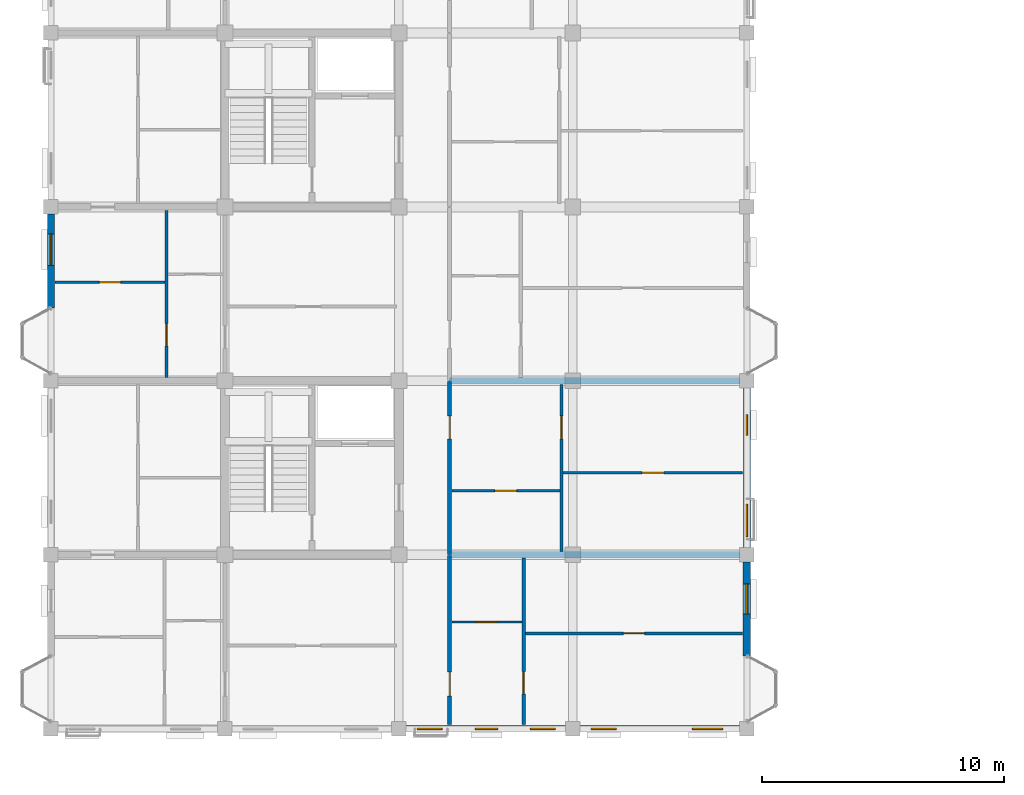
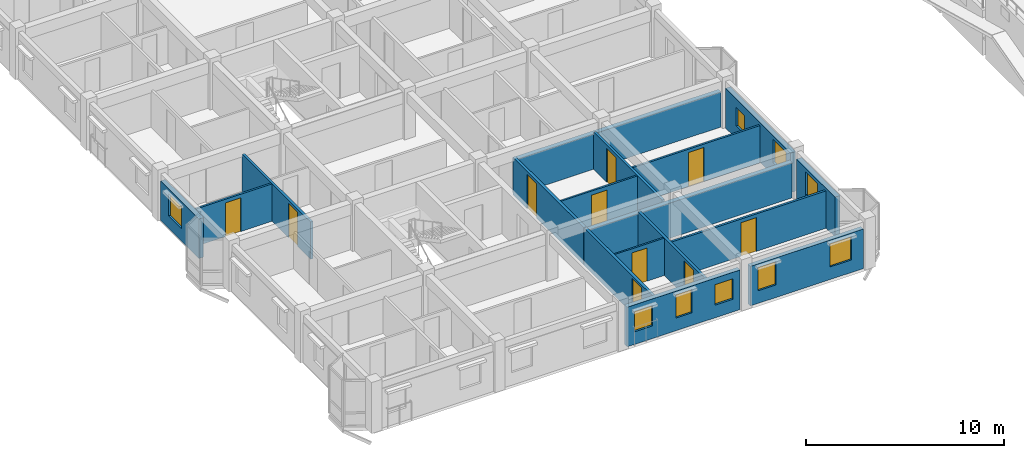
# One storey, part 90 of 124: 17 walls, 10 doors, 9 windows, 19 openings.
"""IFC4 building model written with IfcOpenShell, lengths in metres."""

from ifc_helpers import new_model, si_unit, direction, frame, frame_2d, origin, place, context, subcontext, project, spatial, rectangle, extrude, material, layer, layer_set, type_object, element, fill, save


model = new_model("IFC4")

# Units and contexts
model_context = context("Model", 3, precision=1e-05, world=origin(), true_north=direction((0.0, 1.0)))
body_context = subcontext(model_context, "Body", "Model", "MODEL_VIEW")
ifc_project = project(units=[si_unit("LENGTHUNIT", "METRE"), si_unit("AREAUNIT", "SQUARE_METRE"), si_unit("VOLUMEUNIT", "CUBIC_METRE"), si_unit("PLANEANGLEUNIT", "RADIAN"), si_unit("MASSUNIT", "GRAM", prefix="KILO"), si_unit("THERMODYNAMICTEMPERATUREUNIT", "KELVIN"), si_unit("POWERUNIT", "WATT")], contexts=[model_context])

# Site, building, storey
site_placement = place(None, origin())
site = spatial("IfcSite", under=ifc_project, at=site_placement, CompositionType="ELEMENT")
building_placement = place(site_placement, origin())
building = spatial("IfcBuilding", under=site, at=building_placement, Name="Tavuni Mirador Residences", CompositionType="ELEMENT")
storey_placement = place(building_placement, frame((0.0, 0.0, 7.64990234375)))
storey = spatial("IfcBuildingStorey", under=building, at=storey_placement, Name="L02", CompositionType="ELEMENT", Elevation=7.64990234375)

# Wall, opening, door
ifc_material_1 = material(Name="Precast concrete C40/50", Category="concrete")
ifc_layer_1 = layer(ifc_material_1, 0.1650390625, Name="Precast concrete C40/50", Category="concrete")
ifc_layer_set_1 = layer_set([ifc_layer_1], Name="Precast concrete C40/50")
wall_type_1 = type_object("IfcWallType", Name="WT-CORR165", PredefinedType="PARTITIONING", material=ifc_layer_set_1)
wall_1_placement = place(storey_placement, frame((20.10009765625, 7.375, 0.0), z_axis=(0.0, 0.0, 1.0), x_axis=(0.0, 1.0, 0.0)))
wall_1 = element("IfcWall", 1, at=wall_1_placement, inside=storey, type_object=wall_type_1, Name="CORW-BLK-A-L02-0-00", PredefinedType="PARTITIONING", context=body_context, shape_type="SweptSolid", body=[
    extrude(rectangle(XDim=7.0048828125, YDim=0.1650390625, at=frame_2d((3.50244140625, 0.0))), origin(), (0.0, 0.0, 1.0), 2.30517578125),
])
opening_1_placement = place(wall_1_placement, frame((1.175048828125, 0.0, 0.0)))
opening_1 = element("IfcOpeningElement", 2, at=opening_1_placement, cuts=wall_1, Name="Opening D-03", PredefinedType="OPENING", context=body_context, shape_type="SweptSolid", body=[
    extrude(rectangle(XDim=1.0, YDim=2.14990234375, at=frame_2d((0.5, 1.074951171875))), frame((0.0, 0.092529296875, 0.0), z_axis=(0.0, -1.0, 0.0), x_axis=(1.0, 0.0, 0.0)), (0.0, 0.0, 1.0), 0.18505859375),
])
ifc_material_2 = material(Name="Solid core iroko timber", Category="wood")
door_type_1 = type_object("IfcDoorType", Name="DT-FD60-1000", OperationType="NOTDEFINED", PredefinedType="DOOR", material=ifc_material_2)
door_1_placement = place(opening_1_placement, origin())
door_1 = element("IfcDoor", 3, at=door_1_placement, inside=storey, type_object=door_type_1, Name="DR-2403", OperationType="SINGLE_SWING_RIGHT", OverallHeight=2.14990234375, OverallWidth=1.0, PredefinedType="DOOR", context=body_context, shape_type="SweptSolid", body=[
    extrude(rectangle(XDim=1.0, YDim=2.14990234375, at=frame_2d((0.5, 1.074951171875))), frame((0.0, 0.02490234375, 0.0), z_axis=(0.0, -1.0, 0.0), x_axis=(1.0, 0.0, 0.0)), (0.0, 0.0, 1.0), 0.050048828125),
])
fill(opening_1, door_1)

wall_2_placement = place(storey_placement, frame((20.10009765625, 14.419921875, 0.0), z_axis=(0.0, 0.0, 1.0), x_axis=(0.0, 1.0, 0.0)))
wall_2 = element("IfcWall", 4, at=wall_2_placement, inside=storey, type_object=wall_type_1, Name="CORW-BLK-A-L02-0-01", PredefinedType="PARTITIONING", context=body_context, shape_type="SweptSolid", body=[
    extrude(rectangle(XDim=7.16015625, YDim=0.1650390625, at=frame_2d((3.580078125, 0.0))), origin(), (0.0, 0.0, 1.0), 2.30517578125),
])
opening_2_placement = place(wall_2_placement, frame((4.780029296875, 0.0, 0.0)))
opening_2 = element("IfcOpeningElement", 5, at=opening_2_placement, cuts=wall_2, Name="Opening D-19", PredefinedType="OPENING", context=body_context, shape_type="SweptSolid", body=[
    extrude(rectangle(XDim=0.93994140625, YDim=2.1201171875, at=frame_2d((0.469970703125, 1.06005859375))), frame((0.0, 0.092529296875, 0.0), z_axis=(0.0, -1.0, 0.0), x_axis=(1.0, 0.0, 0.0)), (0.0, 0.0, 1.0), 0.18505859375),
])
door_type_2 = type_object("IfcDoorType", Name="DT-FD60-940", OperationType="NOTDEFINED", PredefinedType="DOOR", material=ifc_material_2)
door_2_placement = place(opening_2_placement, origin())
door_2 = element("IfcDoor", 6, at=door_2_placement, inside=storey, type_object=door_type_2, Name="DR-2404", OperationType="SINGLE_SWING_LEFT", OverallHeight=2.1201171875, OverallWidth=0.93994140625, PredefinedType="DOOR", context=body_context, shape_type="SweptSolid", body=[
    extrude(rectangle(XDim=0.93994140625, YDim=2.1201171875, at=frame_2d((0.469970703125, 1.06005859375))), frame((0.0, 0.02490234375, 0.0), z_axis=(0.0, -1.0, 0.0), x_axis=(1.0, 0.0, 0.0)), (0.0, 0.0, 1.0), 0.050048828125),
])
fill(opening_2, door_2)

# Wall, openings, windows
ifc_material_3 = material(Name="Sgraffito lime-rendered precast concrete C40/50", Category="concrete")
ifc_layer_2 = layer(ifc_material_3, 0.2548828125, Name="Sgraffito lime-rendered precast concrete C40/50", Category="concrete")
ifc_layer_set_2 = layer_set([ifc_layer_2], Name="Sgraffito lime-rendered precast concrete C40/50")
wall_type_2 = type_object("IfcWallType", Name="WT-EXT-PC255", PredefinedType="SOLIDWALL", material=ifc_layer_set_2)
wall_3_placement = place(storey_placement, frame((25.5, 7.199951171875, 0.0), z_axis=(0.0, 0.0, 1.0), x_axis=(1.0, 0.0, 0.0)))
wall_3 = element("IfcWall", 7, at=wall_3_placement, inside=storey, type_object=wall_type_2, Name="EW-BLK-A-L02-S03", PredefinedType="SOLIDWALL", context=body_context, shape_type="SweptSolid", body=[
    extrude(rectangle(XDim=6.60009765625, YDim=0.2548828125, at=frame_2d((3.300048828125, 0.0))), origin(), (0.0, 0.0, 1.0), 2.440185546875),
])
opening_3_placement = place(wall_3_placement, frame((0.449951171875, 0.0, 0.780029296875)))
opening_3 = element("IfcOpeningElement", 8, at=opening_3_placement, cuts=wall_3, Name="Opening WN-26", PredefinedType="OPENING", context=body_context, shape_type="SweptSolid", body=[
    extrude(rectangle(XDim=1.050048828125, YDim=1.43994140625, at=frame_2d((0.52490234375, 0.719970703125))), frame((0.0, 0.137451171875, 0.0), z_axis=(0.0, -1.0, 0.0), x_axis=(1.0, 0.0, 0.0)), (0.0, 0.0, 1.0), 0.27490234375),
])
opening_4_placement = place(wall_3_placement, frame((4.64990234375, 0.0, 0.780029296875)))
opening_4 = element("IfcOpeningElement", 9, at=opening_4_placement, cuts=wall_3, Name="Opening WN-28", PredefinedType="OPENING", context=body_context, shape_type="SweptSolid", body=[
    extrude(rectangle(XDim=1.25, YDim=1.43994140625, at=frame_2d((0.625, 0.719970703125))), frame((0.0, 0.137451171875, 0.0), z_axis=(0.0, -1.0, 0.0), x_axis=(1.0, 0.0, 0.0)), (0.0, 0.0, 1.0), 0.27490234375),
])
ifc_material_4 = material(Name="Laminated solar-control glass", Category="glass")
window_type_1 = type_object("IfcWindowType", Name="WNT-26", PartitioningType="SINGLE_PANEL", PredefinedType="WINDOW", material=ifc_material_4)
window_1_placement = place(opening_3_placement, origin())
window_1 = element("IfcWindow", 10, at=window_1_placement, inside=storey, type_object=window_type_1, Name="WIN-0083", OverallHeight=1.43994140625, OverallWidth=1.050048828125, PartitioningType="SINGLE_PANEL", PredefinedType="WINDOW", context=body_context, shape_type="SweptSolid", body=[
    extrude(rectangle(XDim=1.050048828125, YDim=1.43994140625, at=frame_2d((0.52490234375, 0.719970703125))), frame((0.0, 0.030029296875, 0.0), z_axis=(0.0, -1.0, 0.0), x_axis=(1.0, 0.0, 0.0)), (0.0, 0.0, 1.0), 0.06005859375),
])
fill(opening_3, window_1)
window_type_2 = type_object("IfcWindowType", Name="WNT-28", PartitioningType="SINGLE_PANEL", PredefinedType="WINDOW", material=ifc_material_4)
window_2_placement = place(opening_4_placement, origin())
window_2 = element("IfcWindow", 11, at=window_2_placement, inside=storey, type_object=window_type_2, Name="WIN-0084", OverallHeight=1.43994140625, OverallWidth=1.25, PartitioningType="SINGLE_PANEL", PredefinedType="WINDOW", context=body_context, shape_type="SweptSolid", body=[
    extrude(rectangle(XDim=1.25, YDim=1.43994140625, at=frame_2d((0.625, 0.719970703125))), frame((0.0, 0.030029296875, 0.0), z_axis=(0.0, -1.0, 0.0), x_axis=(1.0, 0.0, 0.0)), (0.0, 0.0, 1.0), 0.06005859375),
])
fill(opening_4, window_2)

ifc_layer_3 = layer(ifc_material_3, 0.27490234375, Name="Sgraffito lime-rendered precast concrete C40/50", Category="concrete")
ifc_layer_set_3 = layer_set([ifc_layer_3], Name="Sgraffito lime-rendered precast concrete C40/50")
wall_type_3 = type_object("IfcWallType", Name="WT-EXT-PC275", PredefinedType="SOLIDWALL", material=ifc_layer_set_3)
wall_4_placement = place(storey_placement, frame((18.300048828125, 7.199951171875, 0.0), z_axis=(0.0, 0.0, 1.0), x_axis=(1.0, 0.0, 0.0)))
wall_4 = element("IfcWall", 12, at=wall_4_placement, inside=storey, type_object=wall_type_3, Name="EW-BLK-A-L02-S02", PredefinedType="SOLIDWALL", context=body_context, shape_type="SweptSolid", body=[
    extrude(rectangle(XDim=6.599853515625, YDim=0.27490234375, at=frame_2d((3.2998046875, 0.0))), origin(), (0.0, 0.0, 1.0), 2.440185546875),
])
opening_5_placement = place(wall_4_placement, frame((0.449951171875, 0.0, 0.780029296875)))
opening_5 = element("IfcOpeningElement", 13, at=opening_5_placement, cuts=wall_4, Name="Opening WN-11", PredefinedType="OPENING", context=body_context, shape_type="SweptSolid", body=[
    extrude(rectangle(XDim=1.0400390625, YDim=1.260009765625, at=frame_2d((0.52001953125, 0.6298828125))), frame((0.0, 0.1474609375, 0.0), z_axis=(0.0, -1.0, 0.0), x_axis=(1.0, 0.0, 0.0)), (0.0, 0.0, 1.0), 0.294921875),
])
opening_6_placement = place(wall_4_placement, frame((2.860107421875, 0.0, 0.780029296875)))
opening_6 = element("IfcOpeningElement", 14, at=opening_6_placement, cuts=wall_4, Name="Opening WN-25", PredefinedType="OPENING", context=body_context, shape_type="SweptSolid", body=[
    extrude(rectangle(XDim=0.93994140625, YDim=1.43994140625, at=frame_2d((0.469970703125, 0.719970703125))), frame((0.0, 0.1474609375, 0.0), z_axis=(0.0, -1.0, 0.0), x_axis=(1.0, 0.0, 0.0)), (0.0, 0.0, 1.0), 0.294921875),
])
opening_7_placement = place(wall_4_placement, frame((5.139892578125, 0.0, 0.780029296875)))
opening_7 = element("IfcOpeningElement", 15, at=opening_7_placement, cuts=wall_4, Name="Opening WN-11", PredefinedType="OPENING", context=body_context, shape_type="SweptSolid", body=[
    extrude(rectangle(XDim=1.0400390625, YDim=1.260009765625, at=frame_2d((0.52001953125, 0.6298828125))), frame((0.0, 0.1474609375, 0.0), z_axis=(0.0, -1.0, 0.0), x_axis=(1.0, 0.0, 0.0)), (0.0, 0.0, 1.0), 0.294921875),
])
window_type_3 = type_object("IfcWindowType", Name="WNT-11", PartitioningType="SINGLE_PANEL", PredefinedType="WINDOW", material=ifc_material_4)
window_3_placement = place(opening_5_placement, origin())
window_3 = element("IfcWindow", 16, at=window_3_placement, inside=storey, type_object=window_type_3, Name="WIN-0080", OverallHeight=1.260009765625, OverallWidth=1.0400390625, PartitioningType="SINGLE_PANEL", PredefinedType="WINDOW", context=body_context, shape_type="SweptSolid", body=[
    extrude(rectangle(XDim=1.0400390625, YDim=1.260009765625, at=frame_2d((0.52001953125, 0.6298828125))), frame((0.0, 0.030029296875, 0.0), z_axis=(0.0, -1.0, 0.0), x_axis=(1.0, 0.0, 0.0)), (0.0, 0.0, 1.0), 0.06005859375),
])
fill(opening_5, window_3)
window_4_placement = place(opening_7_placement, origin())
window_4 = element("IfcWindow", 17, at=window_4_placement, inside=storey, type_object=window_type_3, Name="WIN-0082", OverallHeight=1.260009765625, OverallWidth=1.0400390625, PartitioningType="SINGLE_PANEL", PredefinedType="WINDOW", context=body_context, shape_type="SweptSolid", body=[
    extrude(rectangle(XDim=1.0400390625, YDim=1.260009765625, at=frame_2d((0.52001953125, 0.6298828125))), frame((0.0, 0.030029296875, 0.0), z_axis=(0.0, -1.0, 0.0), x_axis=(1.0, 0.0, 0.0)), (0.0, 0.0, 1.0), 0.06005859375),
])
fill(opening_7, window_4)
window_type_4 = type_object("IfcWindowType", Name="WNT-25", PartitioningType="SINGLE_PANEL", PredefinedType="WINDOW", material=ifc_material_4)
window_5_placement = place(opening_6_placement, origin())
window_5 = element("IfcWindow", 18, at=window_5_placement, inside=storey, type_object=window_type_4, Name="WIN-0081", OverallHeight=1.43994140625, OverallWidth=0.93994140625, PartitioningType="SINGLE_PANEL", PredefinedType="WINDOW", context=body_context, shape_type="SweptSolid", body=[
    extrude(rectangle(XDim=0.93994140625, YDim=1.43994140625, at=frame_2d((0.469970703125, 0.719970703125))), frame((0.0, 0.030029296875, 0.0), z_axis=(0.0, -1.0, 0.0), x_axis=(1.0, 0.0, 0.0)), (0.0, 0.0, 1.0), 0.06005859375),
])
fill(opening_6, window_5)

# Wall, opening, window
wall_5_placement = place(storey_placement, frame((3.60009765625, 28.5, 0.0), z_axis=(0.0, 0.0, 1.0), x_axis=(0.0, -1.0, 0.0)))
wall_5 = element("IfcWall", 19, at=wall_5_placement, inside=storey, type_object=wall_type_3, Name="EW-BLK-A-L02-W02", PredefinedType="SOLIDWALL", context=body_context, shape_type="SweptSolid", body=[
    extrude(rectangle(XDim=3.8798828125, YDim=0.27490234375, at=frame_2d((1.93994140625, 0.0))), origin(), (0.0, 0.0, 1.0), 2.440185546875),
])
opening_8_placement = place(wall_5_placement, frame((0.81494140625, 0.0, 0.780029296875)))
opening_8 = element("IfcOpeningElement", 20, at=opening_8_placement, cuts=wall_5, Name="Opening WN-22", PredefinedType="OPENING", context=body_context, shape_type="SweptSolid", body=[
    extrude(rectangle(XDim=1.300048828125, YDim=1.360107421875, at=frame_2d((0.64990234375, 0.68017578125))), frame((0.0, 0.1474609375, 0.0), z_axis=(0.0, -1.0, 0.0), x_axis=(1.0, 0.0, 0.0)), (0.0, 0.0, 1.0), 0.294921875),
])
window_type_5 = type_object("IfcWindowType", Name="WNT-22", PartitioningType="SINGLE_PANEL", PredefinedType="WINDOW", material=ifc_material_4)
window_6_placement = place(opening_8_placement, origin())
window_6 = element("IfcWindow", 21, at=window_6_placement, inside=storey, type_object=window_type_5, Name="WIN-0109", OverallHeight=1.360107421875, OverallWidth=1.300048828125, PartitioningType="SINGLE_PANEL", PredefinedType="WINDOW", context=body_context, shape_type="SweptSolid", body=[
    extrude(rectangle(XDim=1.300048828125, YDim=1.360107421875, at=frame_2d((0.64990234375, 0.68017578125))), frame((0.0, 0.030029296875, 0.0), z_axis=(0.0, -1.0, 0.0), x_axis=(1.0, 0.0, 0.0)), (0.0, 0.0, 1.0), 0.06005859375),
])
fill(opening_8, window_6)

# Wall, openings, windows
ifc_layer_4 = layer(ifc_material_3, 0.2900390625, Name="Sgraffito lime-rendered precast concrete C40/50", Category="concrete")
ifc_layer_set_4 = layer_set([ifc_layer_4], Name="Sgraffito lime-rendered precast concrete C40/50")
wall_type_4 = type_object("IfcWallType", Name="WT-EXT-PC290", PredefinedType="SOLIDWALL", material=ifc_layer_set_4)
wall_6_placement = place(storey_placement, frame((32.39990234375, 14.699951171875, 0.0), z_axis=(0.0, 0.0, 1.0), x_axis=(0.0, 1.0, 0.0)))
wall_6 = element("IfcWall", 22, at=wall_6_placement, inside=storey, type_object=wall_type_4, Name="EW-BLK-A-L02-E01", PredefinedType="SOLIDWALL", context=body_context, shape_type="SweptSolid", body=[
    extrude(rectangle(XDim=6.60009765625, YDim=0.2900390625, at=frame_2d((3.300048828125, 0.0))), origin(), (0.0, 0.0, 1.0), 2.440185546875),
])
opening_9_placement = place(wall_6_placement, frame((0.449951171875, 0.0, 0.780029296875)))
opening_9 = element("IfcOpeningElement", 23, at=opening_9_placement, cuts=wall_6, Name="Opening WN-29", PredefinedType="OPENING", context=body_context, shape_type="SweptSolid", body=[
    extrude(rectangle(XDim=1.35009765625, YDim=1.43994140625, at=frame_2d((0.675048828125, 0.719970703125))), frame((0.0, 0.155029296875, 0.0), z_axis=(0.0, -1.0, 0.0), x_axis=(1.0, 0.0, 0.0)), (0.0, 0.0, 1.0), 0.31005859375),
])
opening_10_placement = place(wall_6_placement, frame((4.64990234375, 0.0, 0.780029296875)))
opening_10 = element("IfcOpeningElement", 24, at=opening_10_placement, cuts=wall_6, Name="Opening WN-01", PredefinedType="OPENING", context=body_context, shape_type="SweptSolid", body=[
    extrude(rectangle(XDim=0.85009765625, YDim=1.14990234375, at=frame_2d((0.425048828125, 0.574951171875))), frame((0.0, 0.155029296875, 0.0), z_axis=(0.0, -1.0, 0.0), x_axis=(1.0, 0.0, 0.0)), (0.0, 0.0, 1.0), 0.31005859375),
])
window_type_6 = type_object("IfcWindowType", Name="WNT-01", PartitioningType="SINGLE_PANEL", PredefinedType="WINDOW", material=ifc_material_4)
window_7_placement = place(opening_10_placement, origin())
window_7 = element("IfcWindow", 25, at=window_7_placement, inside=storey, type_object=window_type_6, Name="WIN-0087", OverallHeight=1.14990234375, OverallWidth=0.85009765625, PartitioningType="SINGLE_PANEL", PredefinedType="WINDOW", context=body_context, shape_type="SweptSolid", body=[
    extrude(rectangle(XDim=0.85009765625, YDim=1.14990234375, at=frame_2d((0.425048828125, 0.574951171875))), frame((0.0, 0.030029296875, 0.0), z_axis=(0.0, -1.0, 0.0), x_axis=(1.0, 0.0, 0.0)), (0.0, 0.0, 1.0), 0.06005859375),
])
fill(opening_10, window_7)
window_type_7 = type_object("IfcWindowType", Name="WNT-29", PartitioningType="SINGLE_PANEL", PredefinedType="WINDOW", material=ifc_material_4)
window_8_placement = place(opening_9_placement, origin())
window_8 = element("IfcWindow", 26, at=window_8_placement, inside=storey, type_object=window_type_7, Name="WIN-0086", OverallHeight=1.43994140625, OverallWidth=1.35009765625, PartitioningType="SINGLE_PANEL", PredefinedType="WINDOW", context=body_context, shape_type="SweptSolid", body=[
    extrude(rectangle(XDim=1.35009765625, YDim=1.43994140625, at=frame_2d((0.675048828125, 0.719970703125))), frame((0.0, 0.030029296875, 0.0), z_axis=(0.0, -1.0, 0.0), x_axis=(1.0, 0.0, 0.0)), (0.0, 0.0, 1.0), 0.06005859375),
])
fill(opening_9, window_8)

# Wall, opening, window
ifc_layer_5 = layer(ifc_material_3, 0.304931640625, Name="Sgraffito lime-rendered precast concrete C40/50", Category="concrete")
ifc_layer_set_5 = layer_set([ifc_layer_5], Name="Sgraffito lime-rendered precast concrete C40/50")
wall_type_5 = type_object("IfcWallType", Name="WT-EXT-PC305", PredefinedType="SOLIDWALL", material=ifc_layer_set_5)
wall_7_placement = place(storey_placement, frame((32.39990234375, 10.219970703125, 0.0), z_axis=(0.0, 0.0, 1.0), x_axis=(0.0, 1.0, 0.0)))
wall_7 = element("IfcWall", 27, at=wall_7_placement, inside=storey, type_object=wall_type_5, Name="EW-BLK-A-L02-E00", PredefinedType="SOLIDWALL", context=body_context, shape_type="SweptSolid", body=[
    extrude(rectangle(XDim=3.880126953125, YDim=0.304931640625, at=frame_2d((1.93994140625, 0.0))), origin(), (0.0, 0.0, 1.0), 2.440185546875),
])
opening_11_placement = place(wall_7_placement, frame((1.72509765625, 0.0, 0.780029296875)))
opening_11 = element("IfcOpeningElement", 28, at=opening_11_placement, cuts=wall_7, Name="Opening WN-28", PredefinedType="OPENING", context=body_context, shape_type="SweptSolid", body=[
    extrude(rectangle(XDim=1.25, YDim=1.43994140625, at=frame_2d((0.625, 0.719970703125))), frame((0.0, 0.16259765625, 0.0), z_axis=(0.0, -1.0, 0.0), x_axis=(1.0, 0.0, 0.0)), (0.0, 0.0, 1.0), 0.324951171875),
])
window_9_placement = place(opening_11_placement, origin())
window_9 = element("IfcWindow", 29, at=window_9_placement, inside=storey, type_object=window_type_2, Name="WIN-0085", OverallHeight=1.43994140625, OverallWidth=1.25, PartitioningType="SINGLE_PANEL", PredefinedType="WINDOW", context=body_context, shape_type="SweptSolid", body=[
    extrude(rectangle(XDim=1.25, YDim=1.43994140625, at=frame_2d((0.625, 0.719970703125))), frame((0.0, 0.030029296875, 0.0), z_axis=(0.0, -1.0, 0.0), x_axis=(1.0, 0.0, 0.0)), (0.0, 0.0, 1.0), 0.06005859375),
])
fill(opening_11, window_9)

# Wall, opening, door
ifc_material_5 = material(Name="Acoustic gypsum and concrete block partition", Category="concrete")
ifc_layer_6 = layer(ifc_material_5, 0.094970703125, Name="Acoustic gypsum and concrete block partition", Category="concrete")
ifc_layer_set_6 = layer_set([ifc_layer_6], Name="Acoustic gypsum and concrete block partition")
wall_type_6 = type_object("IfcWallType", Name="WT-PART095", PredefinedType="PARTITIONING", material=ifc_layer_set_6)
wall_8_placement = place(storey_placement, frame((20.18994140625, 11.6201171875, 0.0), z_axis=(0.0, 0.0, 1.0), x_axis=(1.0, 0.0, 0.0)))
wall_8 = element("IfcWall", 30, at=wall_8_placement, inside=storey, type_object=wall_type_6, Name="PW-BLK-A-L02-E00-IN1", PredefinedType="PARTITIONING", context=body_context, shape_type="SweptSolid", body=[
    extrude(rectangle(XDim=2.900146484375, YDim=0.094970703125, at=frame_2d((1.4501953125, 0.0))), origin(), (0.0, 0.0, 1.0), 2.30517578125),
])
opening_12_placement = place(wall_8_placement, frame((1.014892578125, 0.0, 0.0)))
opening_12 = element("IfcOpeningElement", 31, at=opening_12_placement, cuts=wall_8, Name="Opening D-10", PredefinedType="OPENING", context=body_context, shape_type="SweptSolid", body=[
    extrude(rectangle(XDim=0.8701171875, YDim=2.050048828125, at=frame_2d((0.43505859375, 1.02490234375))), frame((0.0, 0.0576171875, 0.0), z_axis=(0.0, -1.0, 0.0), x_axis=(1.0, 0.0, 0.0)), (0.0, 0.0, 1.0), 0.114990234375),
])
door_type_3 = type_object("IfcDoorType", Name="DT-WC870", OperationType="NOTDEFINED", PredefinedType="DOOR", material=ifc_material_2)
door_3_placement = place(opening_12_placement, origin())
door_3 = element("IfcDoor", 32, at=door_3_placement, inside=storey, type_object=door_type_3, Name="DR-2995", OperationType="SINGLE_SWING_LEFT", OverallHeight=2.050048828125, OverallWidth=0.8701171875, PredefinedType="DOOR", context=body_context, shape_type="SweptSolid", body=[
    extrude(rectangle(XDim=0.8701171875, YDim=2.050048828125, at=frame_2d((0.43505859375, 1.02490234375))), frame((0.0, 0.02490234375, 0.0), z_axis=(0.0, -1.0, 0.0), x_axis=(1.0, 0.0, 0.0)), (0.0, 0.0, 1.0), 0.050048828125),
])
fill(opening_12, door_3)

ifc_layer_7 = layer(ifc_material_5, 0.10498046875, Name="Acoustic gypsum and concrete block partition", Category="concrete")
ifc_layer_set_7 = layer_set([ifc_layer_7], Name="Acoustic gypsum and concrete block partition")
wall_type_7 = type_object("IfcWallType", Name="WT-PART105", PredefinedType="PARTITIONING", material=ifc_layer_set_7)
wall_9_placement = place(storey_placement, frame((20.18994140625, 17.050048828125, 0.0), z_axis=(0.0, 0.0, 1.0), x_axis=(1.0, 0.0, 0.0)))
wall_9 = element("IfcWall", 33, at=wall_9_placement, inside=storey, type_object=wall_type_7, Name="PW-BLK-A-L02-E01-IN1", PredefinedType="PARTITIONING", context=body_context, shape_type="SweptSolid", body=[
    extrude(rectangle(XDim=4.469970703125, YDim=0.10498046875, at=frame_2d((2.23486328125, 0.0))), origin(), (0.0, 0.0, 1.0), 2.30517578125),
])
opening_13_placement = place(wall_9_placement, frame((1.784912109375, 0.0, 0.0)))
opening_13 = element("IfcOpeningElement", 34, at=opening_13_placement, cuts=wall_9, Name="Opening D-09", PredefinedType="OPENING", context=body_context, shape_type="SweptSolid", body=[
    extrude(rectangle(XDim=0.89990234375, YDim=2.050048828125, at=frame_2d((0.449951171875, 1.02490234375))), frame((0.0, 0.0625, 0.0), z_axis=(0.0, -1.0, 0.0), x_axis=(1.0, 0.0, 0.0)), (0.0, 0.0, 1.0), 0.125),
])
door_type_4 = type_object("IfcDoorType", Name="DT-WC900", OperationType="NOTDEFINED", PredefinedType="DOOR", material=ifc_material_2)
door_4_placement = place(opening_13_placement, origin())
door_4 = element("IfcDoor", 35, at=door_4_placement, inside=storey, type_object=door_type_4, Name="DR-3000", OperationType="SINGLE_SWING_RIGHT", OverallHeight=2.050048828125, OverallWidth=0.89990234375, PredefinedType="DOOR", context=body_context, shape_type="SweptSolid", body=[
    extrude(rectangle(XDim=0.89990234375, YDim=2.050048828125, at=frame_2d((0.449951171875, 1.02490234375))), frame((0.0, 0.02490234375, 0.0), z_axis=(0.0, -1.0, 0.0), x_axis=(1.0, 0.0, 0.0)), (0.0, 0.0, 1.0), 0.050048828125),
])
fill(opening_13, door_4)

ifc_layer_8 = layer(ifc_material_5, 0.114990234375, Name="Acoustic gypsum and concrete block partition", Category="concrete")
ifc_layer_set_8 = layer_set([ifc_layer_8], Name="Acoustic gypsum and concrete block partition")
wall_type_8 = type_object("IfcWallType", Name="WT-PART115", PredefinedType="PARTITIONING", material=ifc_layer_set_8)
wall_10_placement = place(storey_placement, frame((24.800048828125, 17.800048828125, 0.0), z_axis=(0.0, 0.0, 1.0), x_axis=(1.0, 0.0, 0.0)))
wall_10 = element("IfcWall", 36, at=wall_10_placement, inside=storey, type_object=wall_type_8, Name="PW-BLK-A-L02-E01-OUT", PredefinedType="PARTITIONING", context=body_context, shape_type="SweptSolid", body=[
    extrude(rectangle(XDim=7.425048828125, YDim=0.114990234375, at=frame_2d((3.71240234375, 0.0))), origin(), (0.0, 0.0, 1.0), 2.30517578125),
])
opening_14_placement = place(wall_10_placement, frame((3.262451171875, 0.0, 0.0)))
opening_14 = element("IfcOpeningElement", 37, at=opening_14_placement, cuts=wall_10, Name="Opening D-07", PredefinedType="OPENING", context=body_context, shape_type="SweptSolid", body=[
    extrude(rectangle(XDim=0.89990234375, YDim=2.10009765625, at=frame_2d((0.449951171875, 1.050048828125))), frame((0.0, 0.0673828125, 0.0), z_axis=(0.0, -1.0, 0.0), x_axis=(1.0, 0.0, 0.0)), (0.0, 0.0, 1.0), 0.135009765625),
])
door_type_5 = type_object("IfcDoorType", Name="DT-BED900", OperationType="NOTDEFINED", PredefinedType="DOOR", material=ifc_material_2)
door_5_placement = place(opening_14_placement, origin())
door_5 = element("IfcDoor", 38, at=door_5_placement, inside=storey, type_object=door_type_5, Name="DR-2999", OperationType="SINGLE_SWING_LEFT", OverallHeight=2.10009765625, OverallWidth=0.89990234375, PredefinedType="DOOR", context=body_context, shape_type="SweptSolid", body=[
    extrude(rectangle(XDim=0.89990234375, YDim=2.10009765625, at=frame_2d((0.449951171875, 1.050048828125))), frame((0.0, 0.02490234375, 0.0), z_axis=(0.0, -1.0, 0.0), x_axis=(1.0, 0.0, 0.0)), (0.0, 0.0, 1.0), 0.050048828125),
])
fill(opening_14, door_5)

wall_11_placement = place(storey_placement, frame((3.77490234375, 25.679931640625, 0.0), z_axis=(0.0, 0.0, 1.0), x_axis=(1.0, 0.0, 0.0)))
wall_11 = element("IfcWall", 39, at=wall_11_placement, inside=storey, type_object=wall_type_8, Name="PW-BLK-A-L02-W02-OUT", PredefinedType="PARTITIONING", context=body_context, shape_type="SweptSolid", body=[
    extrude(rectangle(XDim=4.53515625, YDim=0.114990234375, at=frame_2d((2.267578125, 0.0))), origin(), (0.0, 0.0, 1.0), 2.30517578125),
])
opening_15_placement = place(wall_11_placement, frame((1.827392578125, 0.0, 0.0)))
opening_15 = element("IfcOpeningElement", 40, at=opening_15_placement, cuts=wall_11, Name="Opening D-08", PredefinedType="OPENING", context=body_context, shape_type="SweptSolid", body=[
    extrude(rectangle(XDim=0.8798828125, YDim=2.080078125, at=frame_2d((0.43994140625, 1.0400390625))), frame((0.0, 0.0673828125, 0.0), z_axis=(0.0, -1.0, 0.0), x_axis=(1.0, 0.0, 0.0)), (0.0, 0.0, 1.0), 0.135009765625),
])
door_type_6 = type_object("IfcDoorType", Name="DT-BED880", OperationType="NOTDEFINED", PredefinedType="DOOR", material=ifc_material_2)
door_6_placement = place(opening_15_placement, origin())
door_6 = element("IfcDoor", 41, at=door_6_placement, inside=storey, type_object=door_type_6, Name="DR-3003", OperationType="SINGLE_SWING_RIGHT", OverallHeight=2.080078125, OverallWidth=0.8798828125, PredefinedType="DOOR", context=body_context, shape_type="SweptSolid", body=[
    extrude(rectangle(XDim=0.8798828125, YDim=2.080078125, at=frame_2d((0.43994140625, 1.0400390625))), frame((0.0, 0.02490234375, 0.0), z_axis=(0.0, -1.0, 0.0), x_axis=(1.0, 0.0, 0.0)), (0.0, 0.0, 1.0), 0.050048828125),
])
fill(opening_15, door_6)

ifc_layer_9 = layer(ifc_material_5, 0.125, Name="Acoustic gypsum and concrete block partition", Category="concrete")
ifc_layer_set_9 = layer_set([ifc_layer_9], Name="Acoustic gypsum and concrete block partition")
wall_type_9 = type_object("IfcWallType", Name="WT-PART125", PredefinedType="PARTITIONING", material=ifc_layer_set_9)
wall_12_placement = place(storey_placement, frame((23.22998046875, 11.14990234375, 0.0), z_axis=(0.0, 0.0, 1.0), x_axis=(1.0, 0.0, 0.0)))
wall_12 = element("IfcWall", 42, at=wall_12_placement, inside=storey, type_object=wall_type_9, Name="PW-BLK-A-L02-E00-OUT", PredefinedType="PARTITIONING", context=body_context, shape_type="SweptSolid", body=[
    extrude(rectangle(XDim=8.9951171875, YDim=0.125, at=frame_2d((4.49755859375, 0.0))), origin(), (0.0, 0.0, 1.0), 2.30517578125),
])
opening_16_placement = place(wall_12_placement, frame((4.0576171875, 0.0, 0.0)))
opening_16 = element("IfcOpeningElement", 43, at=opening_16_placement, cuts=wall_12, Name="Opening D-08", PredefinedType="OPENING", context=body_context, shape_type="SweptSolid", body=[
    extrude(rectangle(XDim=0.8798828125, YDim=2.080078125, at=frame_2d((0.43994140625, 1.0400390625))), frame((0.0, 0.072509765625, 0.0), z_axis=(0.0, -1.0, 0.0), x_axis=(1.0, 0.0, 0.0)), (0.0, 0.0, 1.0), 0.14501953125),
])
door_7_placement = place(opening_16_placement, origin())
door_7 = element("IfcDoor", 44, at=door_7_placement, inside=storey, type_object=door_type_6, Name="DR-2994", OperationType="SINGLE_SWING_RIGHT", OverallHeight=2.080078125, OverallWidth=0.8798828125, PredefinedType="DOOR", context=body_context, shape_type="SweptSolid", body=[
    extrude(rectangle(XDim=0.8798828125, YDim=2.080078125, at=frame_2d((0.43994140625, 1.0400390625))), frame((0.0, 0.02490234375, 0.0), z_axis=(0.0, -1.0, 0.0), x_axis=(1.0, 0.0, 0.0)), (0.0, 0.0, 1.0), 0.050048828125),
])
fill(opening_16, door_7)

ifc_layer_10 = layer(ifc_material_5, 0.139892578125, Name="Acoustic gypsum and concrete block partition", Category="concrete")
ifc_layer_set_10 = layer_set([ifc_layer_10], Name="Acoustic gypsum and concrete block partition")
wall_type_10 = type_object("IfcWallType", Name="WT-PART140", PredefinedType="PARTITIONING", material=ifc_layer_set_10)
wall_13_placement = place(storey_placement, frame((24.72998046875, 14.5400390625, 0.0), z_axis=(0.0, 0.0, 1.0), x_axis=(0.0, 1.0, 0.0)))
wall_13 = element("IfcWall", 45, at=wall_13_placement, inside=storey, type_object=wall_type_10, Name="PW-BLK-A-L02-E01-MID", PredefinedType="PARTITIONING", context=body_context, shape_type="SweptSolid", body=[
    extrude(rectangle(XDim=6.919921875, YDim=0.139892578125, at=frame_2d((3.4599609375, 0.0))), origin(), (0.0, 0.0, 1.0), 2.30517578125),
])
opening_17_placement = place(wall_13_placement, frame((4.659912109375, 0.0, 0.0)))
opening_17 = element("IfcOpeningElement", 46, at=opening_17_placement, cuts=wall_13, Name="Opening D-05", PredefinedType="OPENING", context=body_context, shape_type="SweptSolid", body=[
    extrude(rectangle(XDim=0.949951171875, YDim=2.10009765625, at=frame_2d((0.47509765625, 1.050048828125))), frame((0.0, 0.080078125, 0.0), z_axis=(0.0, -1.0, 0.0), x_axis=(1.0, 0.0, 0.0)), (0.0, 0.0, 1.0), 0.159912109375),
])
door_type_7 = type_object("IfcDoorType", Name="DT-INT950", OperationType="NOTDEFINED", PredefinedType="DOOR", material=ifc_material_2)
door_8_placement = place(opening_17_placement, origin())
door_8 = element("IfcDoor", 47, at=door_8_placement, inside=storey, type_object=door_type_7, Name="DR-3001", OperationType="SINGLE_SWING_LEFT", OverallHeight=2.10009765625, OverallWidth=0.949951171875, PredefinedType="DOOR", context=body_context, shape_type="SweptSolid", body=[
    extrude(rectangle(XDim=0.949951171875, YDim=2.10009765625, at=frame_2d((0.47509765625, 1.050048828125))), frame((0.0, 0.02490234375, 0.0), z_axis=(0.0, -1.0, 0.0), x_axis=(1.0, 0.0, 0.0)), (0.0, 0.0, 1.0), 0.050048828125),
])
fill(opening_17, door_8)

wall_14_placement = place(storey_placement, frame((8.3798828125, 21.739990234375, 0.0), z_axis=(0.0, 0.0, 1.0), x_axis=(0.0, 1.0, 0.0)))
wall_14 = element("IfcWall", 48, at=wall_14_placement, inside=storey, type_object=wall_type_10, Name="PW-BLK-A-L02-W02-MID", PredefinedType="PARTITIONING", context=body_context, shape_type="SweptSolid", body=[
    extrude(rectangle(XDim=6.919921875, YDim=0.139892578125, at=frame_2d((3.4599609375, 0.0))), origin(), (0.0, 0.0, 1.0), 2.30517578125),
])
opening_18_placement = place(wall_14_placement, frame((1.31005859375, 0.0, 0.0)))
opening_18 = element("IfcOpeningElement", 49, at=opening_18_placement, cuts=wall_14, Name="Opening D-06", PredefinedType="OPENING", context=body_context, shape_type="SweptSolid", body=[
    extrude(rectangle(XDim=0.919921875, YDim=2.10009765625, at=frame_2d((0.4599609375, 1.050048828125))), frame((0.0, 0.080078125, 0.0), z_axis=(0.0, -1.0, 0.0), x_axis=(1.0, 0.0, 0.0)), (0.0, 0.0, 1.0), 0.159912109375),
])
door_type_8 = type_object("IfcDoorType", Name="DT-INT920", OperationType="NOTDEFINED", PredefinedType="DOOR", material=ifc_material_2)
door_9_placement = place(opening_18_placement, origin())
door_9 = element("IfcDoor", 50, at=door_9_placement, inside=storey, type_object=door_type_8, Name="DR-3005", OperationType="SINGLE_SWING_RIGHT", OverallHeight=2.10009765625, OverallWidth=0.919921875, PredefinedType="DOOR", context=body_context, shape_type="SweptSolid", body=[
    extrude(rectangle(XDim=0.919921875, YDim=2.10009765625, at=frame_2d((0.4599609375, 1.050048828125))), frame((0.0, 0.02490234375, 0.0), z_axis=(0.0, -1.0, 0.0), x_axis=(1.0, 0.0, 0.0)), (0.0, 0.0, 1.0), 0.050048828125),
])
fill(opening_18, door_9)

ifc_layer_11 = layer(ifc_material_5, 0.14990234375, Name="Acoustic gypsum and concrete block partition", Category="concrete")
ifc_layer_set_11 = layer_set([ifc_layer_11], Name="Acoustic gypsum and concrete block partition")
wall_type_11 = type_object("IfcWallType", Name="WT-PART150", PredefinedType="PARTITIONING", material=ifc_layer_set_11)
wall_15_placement = place(storey_placement, frame((23.159912109375, 7.375, 0.0), z_axis=(0.0, 0.0, 1.0), x_axis=(0.0, 1.0, 0.0)))
wall_15 = element("IfcWall", 51, at=wall_15_placement, inside=storey, type_object=wall_type_11, Name="PW-BLK-A-L02-E00-MID", PredefinedType="PARTITIONING", context=body_context, shape_type="SweptSolid", body=[
    extrude(rectangle(XDim=6.885009765625, YDim=0.14990234375, at=frame_2d((3.4423828125, 0.0))), origin(), (0.0, 0.0, 1.0), 2.30517578125),
])
opening_19_placement = place(wall_15_placement, frame((1.27490234375, 0.0, 0.0)))
opening_19 = element("IfcOpeningElement", 52, at=opening_19_placement, cuts=wall_15, Name="Opening D-06", PredefinedType="OPENING", context=body_context, shape_type="SweptSolid", body=[
    extrude(rectangle(XDim=0.919921875, YDim=2.10009765625, at=frame_2d((0.4599609375, 1.050048828125))), frame((0.0, 0.0849609375, 0.0), z_axis=(0.0, -1.0, 0.0), x_axis=(1.0, 0.0, 0.0)), (0.0, 0.0, 1.0), 0.169921875),
])
door_10_placement = place(opening_19_placement, origin())
door_10 = element("IfcDoor", 53, at=door_10_placement, inside=storey, type_object=door_type_8, Name="DR-2996", OperationType="SINGLE_SWING_RIGHT", OverallHeight=2.10009765625, OverallWidth=0.919921875, PredefinedType="DOOR", context=body_context, shape_type="SweptSolid", body=[
    extrude(rectangle(XDim=0.919921875, YDim=2.10009765625, at=frame_2d((0.4599609375, 1.050048828125))), frame((0.0, 0.02490234375, 0.0), z_axis=(0.0, -1.0, 0.0), x_axis=(1.0, 0.0, 0.0)), (0.0, 0.0, 1.0), 0.050048828125),
])
fill(opening_19, door_10)

# Walls
ifc_layer_12 = layer(ifc_material_1, 0.264892578125, Name="Precast concrete C40/50", Category="concrete")
ifc_layer_set_12 = layer_set([ifc_layer_12], Name="Precast concrete C40/50")
wall_type_12 = type_object("IfcWallType", Name="WT-XW265", PredefinedType="SOLIDWALL", material=ifc_layer_set_12)
for number, where, z_axis, x_axis, name in (
    (54, (20.10009765625, 14.39990234375, 0.0), (0.0, 0.0, 1.0), (1.0, 0.0, 0.0), "XW-BLK-A-L02-E-01"),
    (55, (20.10009765625, 21.60009765625, 0.0), (0.0, 0.0, 1.0), (1.0, 0.0, 0.0), "XW-BLK-A-L02-E-02"),
):
    element("IfcWall", number, at=place(storey_placement, frame(where, z_axis=z_axis, x_axis=x_axis)), inside=storey, type_object=wall_type_12, Name=name, PredefinedType="SOLIDWALL", context=body_context, shape_type="SweptSolid", body=[
        extrude(rectangle(XDim=12.0, YDim=0.264892578125, at=frame_2d((6.0, 0.0))), origin(), (0.0, 0.0, 1.0), 2.170166015625),
    ])

save(model, "model.ifc")
